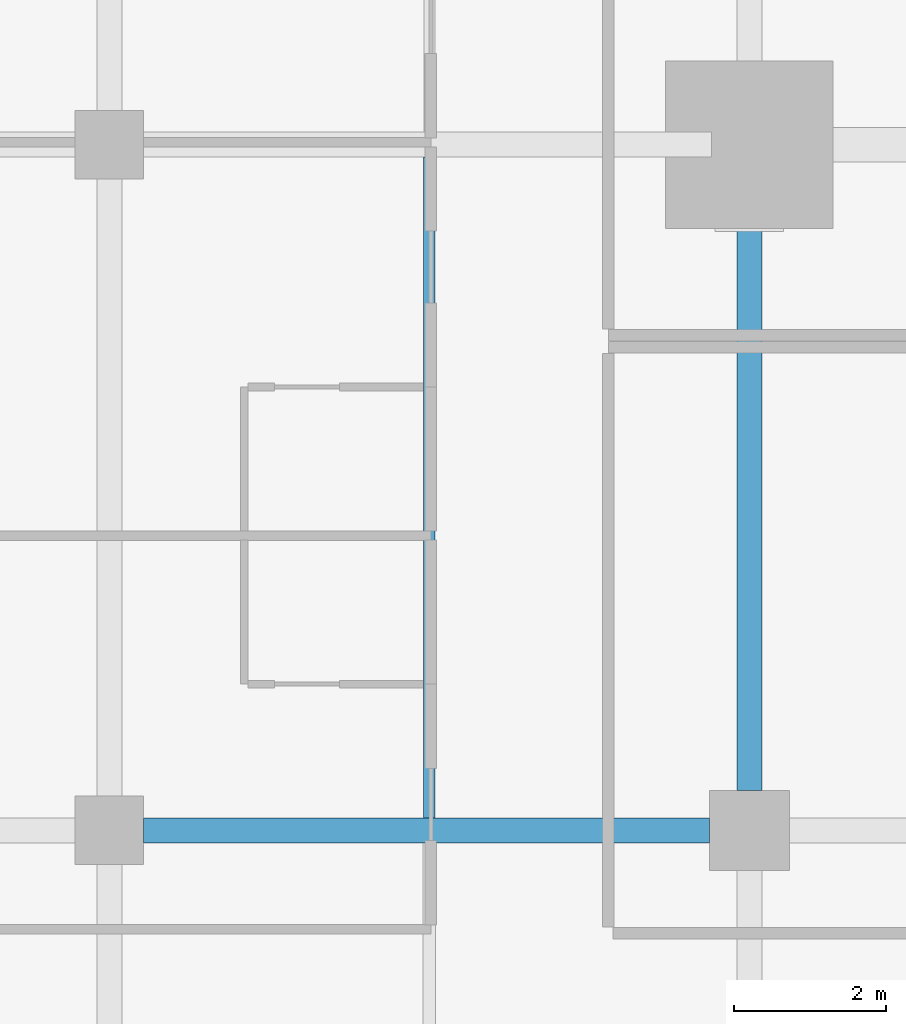
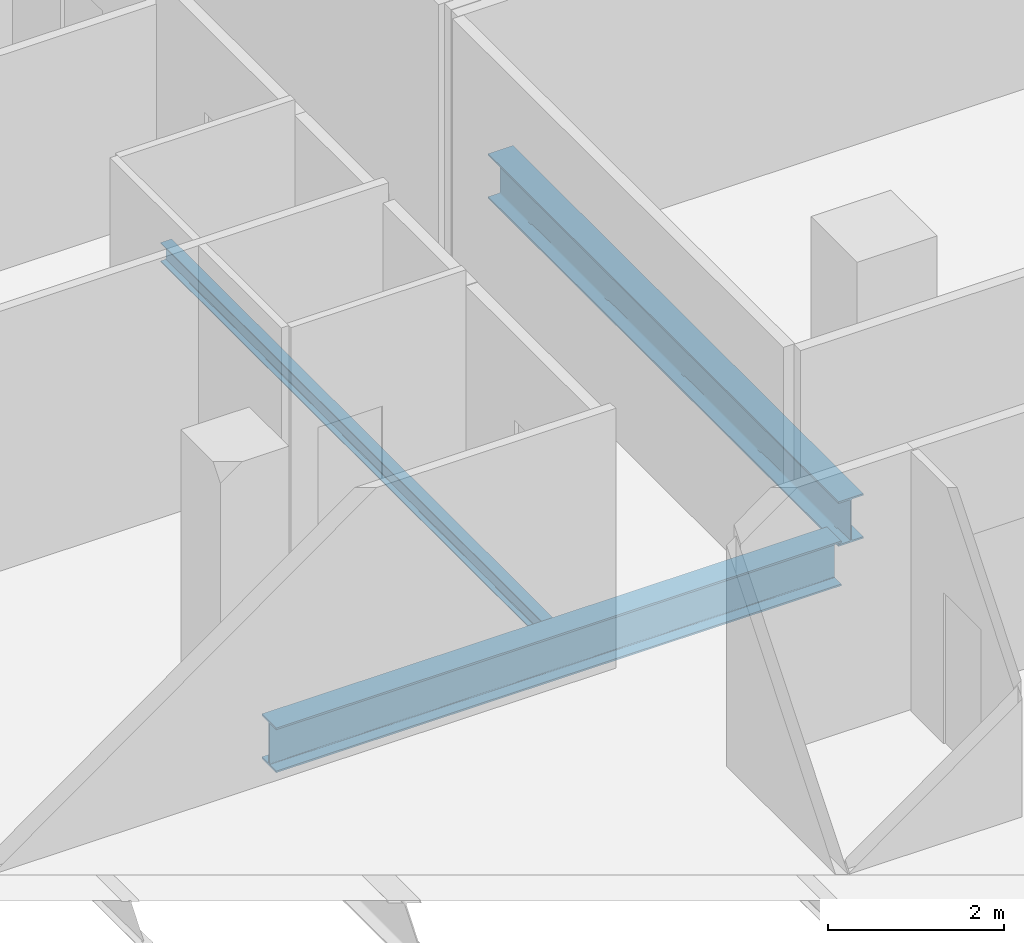
# One storey, part 11 of 40: 3 beams.
"""IFC4 building model written with IfcOpenShell, lengths in metres."""

from ifc_helpers import new_model, si_unit, direction, frame, origin, origin_2d, place, context, subcontext, project, spatial, i_section, extrude, material, material_profile, profile_set, type_object, element, save


model = new_model("IFC4")

# Units and contexts
model_context = context("Model", 3, precision=1e-05, world=origin(), true_north=direction((0.0, 1.0)))
body_context = subcontext(model_context, "Body", "Model", "MODEL_VIEW")
ifc_project = project(units=[si_unit("LENGTHUNIT", "METRE"), si_unit("AREAUNIT", "SQUARE_METRE"), si_unit("VOLUMEUNIT", "CUBIC_METRE"), si_unit("PLANEANGLEUNIT", "RADIAN"), si_unit("MASSUNIT", "GRAM", prefix="KILO")], contexts=[model_context])

# Site, building, storey
site_placement = place(None, origin())
site = spatial("IfcSite", under=ifc_project, at=site_placement, CompositionType="ELEMENT")
building_placement = place(site_placement, origin())
building = spatial("IfcBuilding", under=site, at=building_placement, Name="Maruvema Waterfront Hotel and Observation Tower", CompositionType="ELEMENT")
storey_placement = place(building_placement, frame((0.0, 0.0, 42.35009765625)))
storey = spatial("IfcBuildingStorey", under=building, at=storey_placement, Name="L09", CompositionType="ELEMENT", Elevation=42.35009765625)

# Beams
ifc_material_1 = material(Name="Steel ASTM A572 Grade 50", Category="steel")
ifc_material_profile_1 = material_profile(ifc_material_1, i_section(OverallWidth=0.326904296875, OverallDepth=0.6220703125, WebThickness=0.015380859375, FlangeThickness=0.0244140625, FilletRadius=0.01806640625, at=origin_2d()), Name="W610x195.0")
ifc_profile_set_1 = profile_set([ifc_material_profile_1], Name="Steel ASTM A572 Grade 50")
beam_type_1 = type_object("IfcBeamType", Name="Primary Floor Girder W610x195.0", PredefinedType="BEAM", material=ifc_profile_set_1)
beam_1_placement = place(storey_placement, frame((17.25, 18.0, -0.551025390625), z_axis=(1.0, 0.0, 0.0), x_axis=(0.0, 1.0, 0.0)))
element("IfcBeam", 1, at=beam_1_placement, inside=storey, type_object=beam_type_1, Name="L09 Floor Girder EW-14", PredefinedType="BEAM", context=body_context, shape_type="SweptSolid", body=[
    extrude(i_section(OverallWidth=0.326904296875, OverallDepth=0.6220703125, WebThickness=0.015380859375, FlangeThickness=0.0244140625, FilletRadius=0.01806640625, at=origin_2d()), origin(), (0.0, 0.0, 1.0), 7.425048828125),
])
beam_2_placement = place(storey_placement, frame((25.199951171875, 18.52490234375, -0.551025390625), z_axis=(0.0, 1.0, 0.0), x_axis=(-1.0, 0.0, 0.0)))
element("IfcBeam", 2, at=beam_2_placement, inside=storey, type_object=beam_type_1, Name="L09 Floor Girder NS-13", PredefinedType="BEAM", context=body_context, shape_type="SweptSolid", body=[
    extrude(i_section(OverallWidth=0.326904296875, OverallDepth=0.6220703125, WebThickness=0.015380859375, FlangeThickness=0.0244140625, FilletRadius=0.01806640625, at=origin_2d()), origin(), (0.0, 0.0, 1.0), 7.97509765625),
])
ifc_material_2 = material(Name="Steel ASTM A572 Grade 50", Category="steel")
ifc_material_profile_2 = material_profile(ifc_material_2, i_section(OverallWidth=0.14794921875, OverallDepth=0.26611328125, WebThickness=0.007568359375, FlangeThickness=0.012939453125, FilletRadius=0.012939453125, at=origin_2d()), Name="W250x44.8")
ifc_profile_set_2 = profile_set([ifc_material_profile_2], Name="Steel ASTM A572 Grade 50")
beam_type_2 = type_object("IfcBeamType", Name="Secondary Floor Joist W250x44.8", PredefinedType="JOIST", material=ifc_profile_set_2)
beam_3_placement = place(storey_placement, frame((21.0, 18.16357421875, -0.373046875), z_axis=(0.0, 1.0, 0.0), x_axis=(-1.0, 0.0, 0.0)))
element("IfcBeam", 3, at=beam_3_placement, inside=storey, type_object=beam_type_2, Name="L09 Secondary Floor Joist JS-07", PredefinedType="JOIST", context=body_context, shape_type="SweptSolid", body=[
    extrude(i_section(OverallWidth=0.14794921875, OverallDepth=0.26611328125, WebThickness=0.007568359375, FlangeThickness=0.012939453125, FilletRadius=0.012939453125, at=origin_2d()), origin(), (0.0, 0.0, 1.0), 8.6728515625),
])

save(model, "model.ifc")
